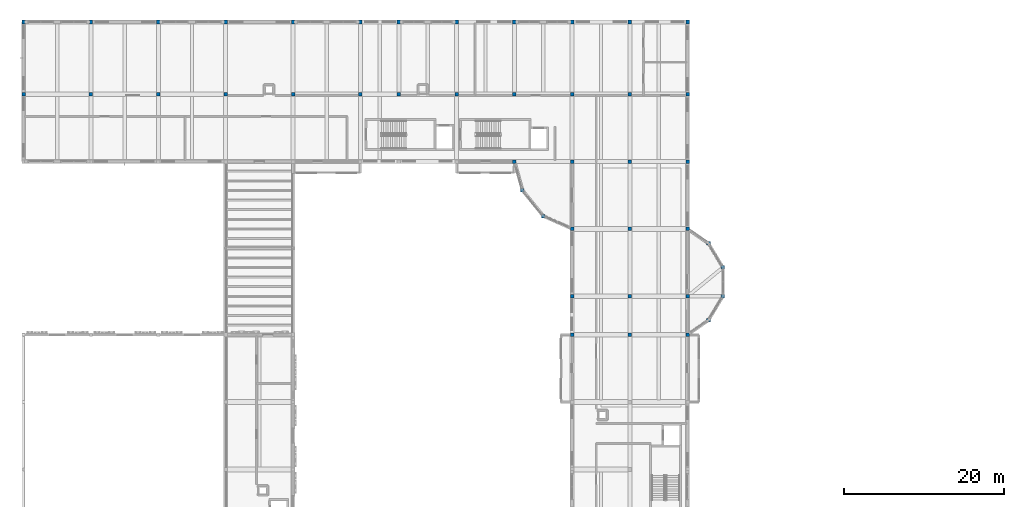
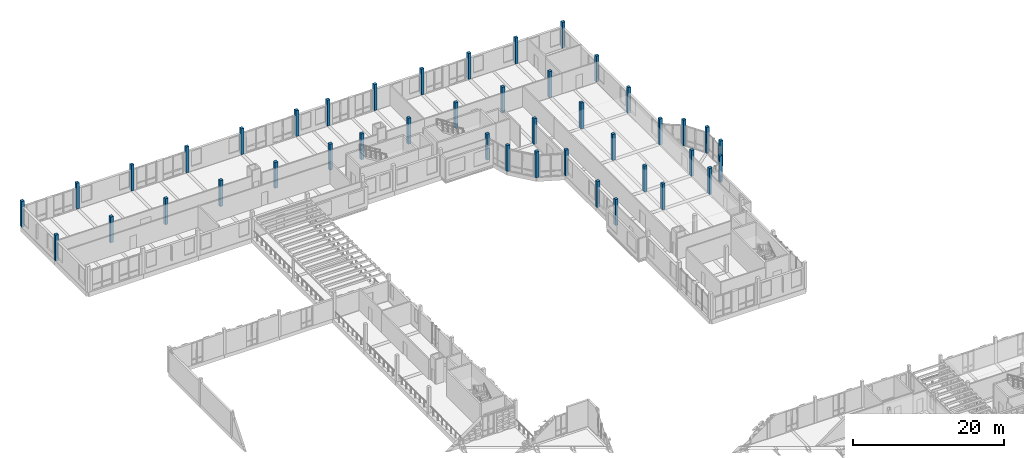
# One storey, part 8 of 99: 43 columns.
"""IFC4 building model written with IfcOpenShell, lengths in metres."""

from ifc_helpers import new_model, si_unit, direction, frame, origin, origin_2d, place, context, subcontext, project, spatial, rectangle, extrude, material, material_profile, profile_set, type_object, element, save


model = new_model("IFC4")

# Units and contexts
model_context = context("Model", 3, precision=1e-05, world=origin(), true_north=direction((0.0, 1.0)))
body_context = subcontext(model_context, "Body", "Model", "MODEL_VIEW")
ifc_project = project(units=[si_unit("LENGTHUNIT", "METRE"), si_unit("AREAUNIT", "SQUARE_METRE"), si_unit("VOLUMEUNIT", "CUBIC_METRE"), si_unit("PLANEANGLEUNIT", "RADIAN"), si_unit("MASSUNIT", "GRAM", prefix="KILO")], contexts=[model_context])

# Site, building, storey
site_placement = place(None, origin())
site = spatial("IfcSite", under=ifc_project, at=site_placement, CompositionType="ELEMENT")
building_placement = place(site_placement, origin())
building = spatial("IfcBuilding", under=site, at=building_placement, Name="Kahlenmark Community Centre", CompositionType="ELEMENT")
storey_placement = place(building_placement, frame((0.0, 0.0, 5.39990234375)))
storey = spatial("IfcBuildingStorey", under=building, at=storey_placement, Name="L01", CompositionType="ELEMENT", Elevation=5.39990234375)

# Columns
ifc_material = material(Name="Glulam GL32h", Category="wood")
ifc_material_profile = material_profile(ifc_material, rectangle(XDim=0.43994140625, YDim=0.43994140625, at=origin_2d()), Name="GL32h 440x440")
ifc_profile_set = profile_set([ifc_material_profile], Name="Glulam GL32h")
column_type = type_object("IfcColumnType", Name="CT-GL440", PredefinedType="COLUMN", material=ifc_profile_set)
for number, where, z_axis, x_axis, name in (
    (1, (4.0, 106.0, 0.0), (0.0, 0.0, 1.0), (1.0, 0.0, 0.0), "L01 column (4.0, 106.0)"),
    (2, (4.0, 115.0, 0.0), (0.0, 0.0, 1.0), (1.0, 0.0, 0.0), "L01 column (4.0, 115.0)"),
    (3, (12.39990234375, 106.0, 0.0), (0.0, 0.0, 1.0), (1.0, 0.0, 0.0), "L01 column (12.4, 106.0)"),
    (4, (12.39990234375, 115.0, 0.0), (0.0, 0.0, 1.0), (1.0, 0.0, 0.0), "L01 column (12.4, 115.0)"),
    (5, (20.800048828125, 106.0, 0.0), (0.0, 0.0, 1.0), (1.0, 0.0, 0.0), "L01 column (20.8, 106.0)"),
    (6, (20.800048828125, 115.0, 0.0), (0.0, 0.0, 1.0), (1.0, 0.0, 0.0), "L01 column (20.8, 115.0)"),
    (7, (29.199951171875, 106.0, 0.0), (0.0, 0.0, 1.0), (1.0, 0.0, 0.0), "L01 column (29.2, 106.0)"),
    (8, (29.199951171875, 115.0, 0.0), (0.0, 0.0, 1.0), (1.0, 0.0, 0.0), "L01 column (29.2, 115.0)"),
    (9, (37.60009765625, 106.0, 0.0), (0.0, 0.0, 1.0), (1.0, 0.0, 0.0), "L01 column (37.6, 106.0)"),
    (10, (37.60009765625, 115.0, 0.0), (0.0, 0.0, 1.0), (1.0, 0.0, 0.0), "L01 column (37.6, 115.0)"),
    (11, (46.0, 106.0, 0.0), (0.0, 0.0, 1.0), (1.0, 0.0, 0.0), "L01 column (46.0, 106.0)"),
    (12, (46.0, 115.0, 0.0), (0.0, 0.0, 1.0), (1.0, 0.0, 0.0), "L01 column (46.0, 115.0)"),
    (13, (50.800048828125, 106.0, 0.0), (0.0, 0.0, 1.0), (1.0, 0.0, 0.0), "L01 column (50.8, 106.0)"),
    (14, (50.800048828125, 115.0, 0.0), (0.0, 0.0, 1.0), (1.0, 0.0, 0.0), "L01 column (50.8, 115.0)"),
    (15, (58.0, 106.0, 0.0), (0.0, 0.0, 1.0), (1.0, 0.0, 0.0), "L01 column (58.0, 106.0)"),
    (16, (58.0, 115.0, 0.0), (0.0, 0.0, 1.0), (1.0, 0.0, 0.0), "L01 column (58.0, 115.0)"),
    (17, (65.199951171875, 97.60009765625, 0.0), (0.0, 0.0, 1.0), (1.0, 0.0, 0.0), "L01 column (65.2, 97.6)"),
    (18, (65.199951171875, 106.0, 0.0), (0.0, 0.0, 1.0), (1.0, 0.0, 0.0), "L01 column (65.2, 106.0)"),
    (19, (65.199951171875, 115.0, 0.0), (0.0, 0.0, 1.0), (1.0, 0.0, 0.0), "L01 column (65.2, 115.0)"),
    (20, (66.199951171875, 94.0, 0.0), (0.0, 0.0, 1.0), (1.0, 0.0, 0.0), "L01 column (66.2, 94.0)"),
    (21, (68.800048828125, 90.800048828125, 0.0), (0.0, 0.0, 1.0), (1.0, 0.0, 0.0), "L01 column (68.8, 90.8)"),
    (22, (72.39990234375, 76.0, 0.0), (0.0, 0.0, 1.0), (1.0, 0.0, 0.0), "L01 column (72.4, 76.0)"),
    (23, (72.39990234375, 80.800048828125, 0.0), (0.0, 0.0, 1.0), (1.0, 0.0, 0.0), "L01 column (72.4, 80.8)"),
    (24, (72.39990234375, 89.199951171875, 0.0), (0.0, 0.0, 1.0), (1.0, 0.0, 0.0), "L01 column (72.4, 89.2)"),
    (25, (72.39990234375, 97.60009765625, 0.0), (0.0, 0.0, 1.0), (1.0, 0.0, 0.0), "L01 column (72.4, 97.6)"),
    (26, (72.39990234375, 106.0, 0.0), (0.0, 0.0, 1.0), (1.0, 0.0, 0.0), "L01 column (72.4, 106.0)"),
    (27, (72.39990234375, 115.0, 0.0), (0.0, 0.0, 1.0), (1.0, 0.0, 0.0), "L01 column (72.4, 115.0)"),
    (28, (79.60009765625, 76.0, 0.0), (0.0, 0.0, 1.0), (1.0, 0.0, 0.0), "L01 column (79.6, 76.0)"),
    (29, (79.60009765625, 80.800048828125, 0.0), (0.0, 0.0, 1.0), (1.0, 0.0, 0.0), "L01 column (79.6, 80.8)"),
    (30, (79.60009765625, 89.199951171875, 0.0), (0.0, 0.0, 1.0), (1.0, 0.0, 0.0), "L01 column (79.6, 89.2)"),
    (31, (79.60009765625, 97.60009765625, 0.0), (0.0, 0.0, 1.0), (1.0, 0.0, 0.0), "L01 column (79.6, 97.6)"),
    (32, (79.60009765625, 106.0, 0.0), (0.0, 0.0, 1.0), (1.0, 0.0, 0.0), "L01 column (79.6, 106.0)"),
    (33, (79.60009765625, 115.0, 0.0), (0.0, 0.0, 1.0), (1.0, 0.0, 0.0), "L01 column (79.6, 115.0)"),
    (34, (86.800048828125, 76.0, 0.0), (0.0, 0.0, 1.0), (1.0, 0.0, 0.0), "L01 column (86.8, 76.0)"),
    (35, (86.800048828125, 80.800048828125, 0.0), (0.0, 0.0, 1.0), (1.0, 0.0, 0.0), "L01 column (86.8, 80.8)"),
    (36, (86.800048828125, 89.199951171875, 0.0), (0.0, 0.0, 1.0), (1.0, 0.0, 0.0), "L01 column (86.8, 89.2)"),
    (37, (86.800048828125, 97.60009765625, 0.0), (0.0, 0.0, 1.0), (1.0, 0.0, 0.0), "L01 column (86.8, 97.6)"),
    (38, (86.800048828125, 106.0, 0.0), (0.0, 0.0, 1.0), (1.0, 0.0, 0.0), "L01 column (86.8, 106.0)"),
    (39, (86.800048828125, 115.0, 0.0), (0.0, 0.0, 1.0), (1.0, 0.0, 0.0), "L01 column (86.8, 115.0)"),
    (40, (89.39990234375, 77.800048828125, 0.0), (0.0, 0.0, 1.0), (1.0, 0.0, 0.0), "L01 column (89.4, 77.8)"),
    (41, (89.39990234375, 87.39990234375, 0.0), (0.0, 0.0, 1.0), (1.0, 0.0, 0.0), "L01 column (89.4, 87.4)"),
    (42, (91.199951171875, 80.800048828125, 0.0), (0.0, 0.0, 1.0), (1.0, 0.0, 0.0), "L01 column (91.2, 80.8)"),
    (43, (91.199951171875, 84.39990234375, 0.0), (0.0, 0.0, 1.0), (1.0, 0.0, 0.0), "L01 column (91.2, 84.4)"),
):
    element("IfcColumn", number, at=place(storey_placement, frame(where, z_axis=z_axis, x_axis=x_axis)), inside=storey, type_object=column_type, Name=name, PredefinedType="COLUMN", context=body_context, shape_type="SweptSolid", body=[
        extrude(rectangle(XDim=0.43994140625, YDim=0.43994140625, at=origin_2d()), origin(), (0.0, 0.0, 1.0), 4.2001953125),
    ])

save(model, "model.ifc")
